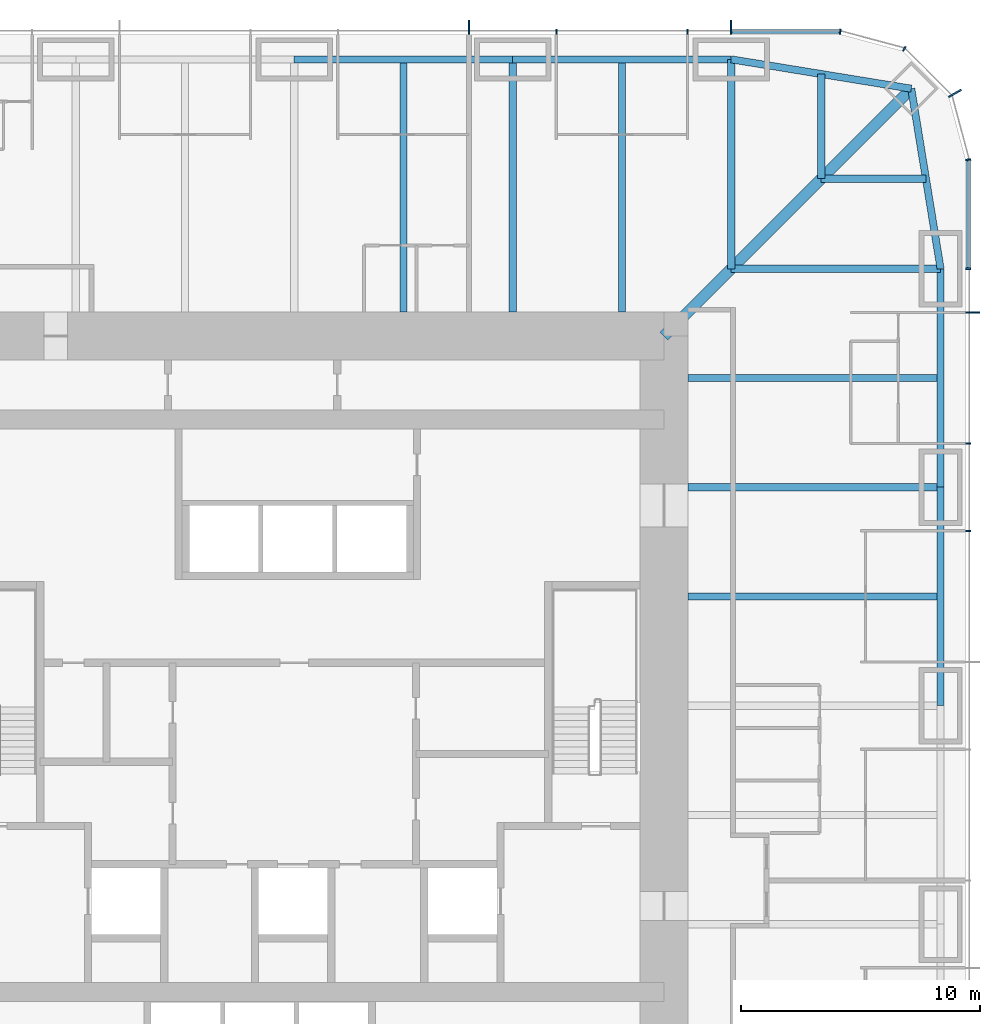
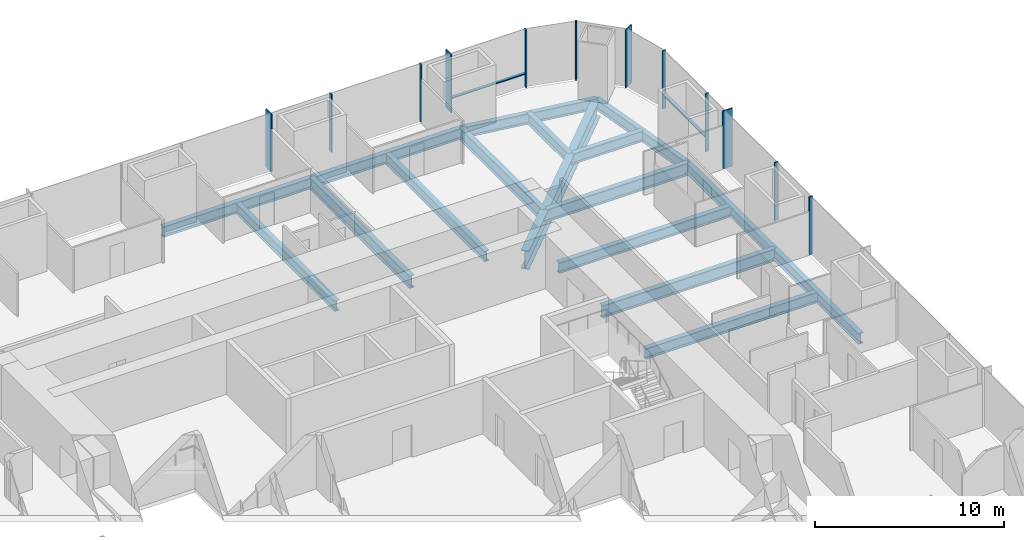
# One storey, part 5 of 12: 17 beams, 14 members, 3 elements without a shape of their own.
"""IFC4 building model written with IfcOpenShell, lengths in metres."""

from ifc_helpers import new_model, si_unit, direction, frame, origin, origin_2d, place, context, subcontext, project, spatial, rectangle, i_section, extrude, material, material_profile, profile_set, type_object, element, aggregate, save


model = new_model("IFC4")

# Units and contexts
model_context = context("Model", 3, precision=1e-05, world=origin(), true_north=direction((0.0, 1.0)))
body_context = subcontext(model_context, "Body", "Model", "MODEL_VIEW")
ifc_project = project(units=[si_unit("LENGTHUNIT", "METRE"), si_unit("AREAUNIT", "SQUARE_METRE"), si_unit("VOLUMEUNIT", "CUBIC_METRE"), si_unit("PLANEANGLEUNIT", "RADIAN"), si_unit("MASSUNIT", "GRAM", prefix="KILO")], contexts=[model_context])

# Site, building, storey
site_placement = place(None, origin())
site = spatial("IfcSite", under=ifc_project, at=site_placement, CompositionType="ELEMENT")
building_placement = place(site_placement, origin())
building = spatial("IfcBuilding", under=site, at=building_placement, Name="Khuree Lantern Residences", CompositionType="ELEMENT")
storey_placement = place(building_placement, frame((0.0, 0.0, 178.5)))
storey = spatial("IfcBuildingStorey", under=building, at=storey_placement, Name="L45", CompositionType="ELEMENT", Elevation=178.5)

# Beams
ifc_material_1 = material(Name="Steel S355", Category="steel")
ifc_material_profile_1 = material_profile(ifc_material_1, i_section(OverallWidth=0.300048828125, OverallDepth=0.68994140625, WebThickness=0.014404296875, FlangeThickness=0.027099609375, FilletRadius=0.027099609375, at=origin_2d()), Name="HE 700 A")
ifc_profile_set_1 = profile_set([ifc_material_profile_1], Name="Steel S355")
beam_type_1 = type_object("IfcBeamType", Name="B-25A SECONDARY BEAM HE 700 A", PredefinedType="BEAM", material=ifc_profile_set_1)
for number, where, z_axis, x_axis, name in (
    (1, (4.580078125, 27.10009765625, -0.594970703125), (0.0, -1.0, 0.0), (1.0, 0.0, 0.0), "Secondary beam N3"),
    (2, (13.739990234375, 27.10009765625, -0.594970703125), (0.0, -1.0, 0.0), (1.0, 0.0, 0.0), "Secondary beam N4"),
):
    element("IfcBeam", number, at=place(storey_placement, frame(where, z_axis=z_axis, x_axis=x_axis)), inside=storey, type_object=beam_type_1, Name=name, PredefinedType="BEAM", context=body_context, shape_type="SweptSolid", body=[
        extrude(i_section(OverallWidth=0.300048828125, OverallDepth=0.68994140625, WebThickness=0.014404296875, FlangeThickness=0.027099609375, FilletRadius=0.027099609375, at=origin_2d()), origin(), (0.0, 0.0, 1.0), 10.60009765625),
    ])
for number, where, z_axis, x_axis, name in (
    (3, (22.094970703125, 26.48486328125, -0.594970703125), (0.0, -1.0, 0.0), (1.0, 0.0, 0.0), "Secondary beam N5"),
    (4, (26.48486328125, 22.094970703125, -0.594970703125), (-1.0, 0.0, 0.0), (0.0, -1.0, 0.0), "Secondary beam E1"),
):
    element("IfcBeam", number, at=place(storey_placement, frame(where, z_axis=z_axis, x_axis=x_axis)), inside=storey, type_object=beam_type_1, Name=name, PredefinedType="BEAM", context=body_context, shape_type="SweptSolid", body=[
        extrude(i_section(OverallWidth=0.300048828125, OverallDepth=0.68994140625, WebThickness=0.014404296875, FlangeThickness=0.027099609375, FilletRadius=0.027099609375, at=origin_2d()), origin(), (0.0, 0.0, 1.0), 4.389892578125),
    ])
for number, where, z_axis, x_axis, name in (
    (5, (27.10009765625, 13.739990234375, -0.594970703125), (-1.0, 0.0, 0.0), (0.0, -1.0, 0.0), "Secondary beam E2"),
    (6, (27.10009765625, 4.580078125, -0.594970703125), (-1.0, 0.0, 0.0), (0.0, -1.0, 0.0), "Secondary beam E3"),
):
    element("IfcBeam", number, at=place(storey_placement, frame(where, z_axis=z_axis, x_axis=x_axis)), inside=storey, type_object=beam_type_1, Name=name, PredefinedType="BEAM", context=body_context, shape_type="SweptSolid", body=[
        extrude(i_section(OverallWidth=0.300048828125, OverallDepth=0.68994140625, WebThickness=0.014404296875, FlangeThickness=0.027099609375, FilletRadius=0.027099609375, at=origin_2d()), origin(), (0.0, 0.0, 1.0), 10.60009765625),
    ])
ifc_material_profile_2 = material_profile(ifc_material_1, i_section(OverallWidth=0.300048828125, OverallDepth=0.68994140625, WebThickness=0.014404296875, FlangeThickness=0.027099609375, FilletRadius=0.027099609375, at=origin_2d()), Name="HE 700 A")
ifc_profile_set_2 = profile_set([ifc_material_profile_2], Name="Steel S355")
beam_type_2 = type_object("IfcBeamType", Name="E-25 SPANDREL BEAM HE 700 A", PredefinedType="SPANDREL", material=ifc_profile_set_2)
beam_1_placement = place(storey_placement, frame((0.0, 27.10009765625, -0.594970703125), z_axis=(1.0, 0.0, 0.0), x_axis=(0.0, 1.0, 0.0)))
element("IfcBeam", 7, at=beam_1_placement, inside=storey, type_object=beam_type_2, Name="Spandrel beam N3", PredefinedType="SPANDREL", context=body_context, shape_type="SweptSolid", body=[
    extrude(i_section(OverallWidth=0.300048828125, OverallDepth=0.68994140625, WebThickness=0.014404296875, FlangeThickness=0.027099609375, FilletRadius=0.027099609375, at=origin_2d()), origin(), (0.0, 0.0, 1.0), 9.159912109375),
])
beam_2_placement = place(storey_placement, frame((9.159912109375, 27.10009765625, -0.594970703125), z_axis=(1.0, 0.0, 0.0), x_axis=(0.0, 1.0, 0.0)))
element("IfcBeam", 8, at=beam_2_placement, inside=storey, type_object=beam_type_2, Name="Spandrel beam N4", PredefinedType="SPANDREL", context=body_context, shape_type="SweptSolid", body=[
    extrude(i_section(OverallWidth=0.300048828125, OverallDepth=0.68994140625, WebThickness=0.014404296875, FlangeThickness=0.027099609375, FilletRadius=0.027099609375, at=origin_2d()), origin(), (0.0, 0.0, 1.0), 9.16015625),
])
for number, where, z_axis, x_axis, name in (
    (9, (18.320068359375, 27.10009765625, -0.594970703125), (0.986982656839, -0.160826723833, 0.0), (0.160826723833, 0.986982656839, 0.0), "Spandrel beam N5"),
    (10, (25.869873046875, 25.869873046875, -0.594970703125), (0.160826723833, -0.986982656839, 0.0), (0.986982656839, 0.160826723833, 0.0), "Spandrel beam E1"),
):
    element("IfcBeam", number, at=place(storey_placement, frame(where, z_axis=z_axis, x_axis=x_axis)), inside=storey, type_object=beam_type_2, Name=name, PredefinedType="SPANDREL", context=body_context, shape_type="SweptSolid", body=[
        extrude(i_section(OverallWidth=0.300048828125, OverallDepth=0.68994140625, WebThickness=0.014404296875, FlangeThickness=0.027099609375, FilletRadius=0.027099609375, at=origin_2d()), origin(), (0.0, 0.0, 1.0), 7.6494140625),
    ])
beam_3_placement = place(storey_placement, frame((27.10009765625, 18.320068359375, -0.594970703125), z_axis=(0.0, -1.0, 0.0), x_axis=(1.0, 0.0, 0.0)))
element("IfcBeam", 11, at=beam_3_placement, inside=storey, type_object=beam_type_2, Name="Spandrel beam E2", PredefinedType="SPANDREL", context=body_context, shape_type="SweptSolid", body=[
    extrude(i_section(OverallWidth=0.300048828125, OverallDepth=0.68994140625, WebThickness=0.014404296875, FlangeThickness=0.027099609375, FilletRadius=0.027099609375, at=origin_2d()), origin(), (0.0, 0.0, 1.0), 9.16015625),
])
beam_4_placement = place(storey_placement, frame((27.10009765625, 9.159912109375, -0.594970703125), z_axis=(0.0, -1.0, 0.0), x_axis=(1.0, 0.0, 0.0)))
element("IfcBeam", 12, at=beam_4_placement, inside=storey, type_object=beam_type_2, Name="Spandrel beam E3", PredefinedType="SPANDREL", context=body_context, shape_type="SweptSolid", body=[
    extrude(i_section(OverallWidth=0.300048828125, OverallDepth=0.68994140625, WebThickness=0.014404296875, FlangeThickness=0.027099609375, FilletRadius=0.027099609375, at=origin_2d()), origin(), (0.0, 0.0, 1.0), 9.159912109375),
])

# Curtain wall, member
ifc_material_2 = material(Name="Bronze anodised aluminium", Category="aluminium")
curtain_wall_type_1 = type_object("IfcCurtainWallType", Name="CW-T1 TOWER FACE CURTAIN WALL", PredefinedType="USERDEFINED", material=ifc_material_2)
curtain_wall_1_placement = place(storey_placement, origin())
curtain_wall_1 = element("IfcCurtainWall", 13, at=curtain_wall_1_placement, inside=storey, type_object=curtain_wall_type_1, Name="L45 EAST FACE CURTAIN WALL", ObjectType="Stick-built curtain wall", PredefinedType="USERDEFINED")
ifc_material_profile_3 = material_profile(ifc_material_2, rectangle(XDim=0.06494140625, YDim=0.60009765625, at=origin_2d()), Name="F1 65X600")
ifc_profile_set_3 = profile_set([ifc_material_profile_3], Name="Bronze anodised aluminium")
member_type_1 = type_object("IfcMemberType", Name="F1 BRONZE FIN MULLION TOWER 65X600", PredefinedType="MULLION", material=ifc_profile_set_3)
member_1_placement = place(storey_placement, frame((28.449951171875, 16.488037109375, 0.0), z_axis=(0.0, 0.0, 1.0), x_axis=(0.0, 1.0, 0.0)))
member_1 = element("IfcMember", 14, at=member_1_placement, type_object=member_type_1, Name="L45 EAST FACE FIN MULLION 13", PredefinedType="MULLION", context=body_context, shape_type="SweptSolid", body=[
    extrude(rectangle(XDim=0.06494140625, YDim=0.60009765625, at=origin_2d()), origin(), (0.0, 0.0, 1.0), 3.75),
])

curtain_wall_type_2 = type_object("IfcCurtainWallType", Name="CW-T2 TOWER CORNER CURTAIN WALL", PredefinedType="USERDEFINED", material=ifc_material_2)
curtain_wall_2_placement = place(storey_placement, origin())
curtain_wall_2 = element("IfcCurtainWall", 15, at=curtain_wall_2_placement, inside=storey, type_object=curtain_wall_type_2, Name="L45 NORTH-EAST CORNER CURTAIN WALL", ObjectType="Faceted corner curtain wall", PredefinedType="USERDEFINED")
member_2_placement = place(storey_placement, frame((27.70654296875, 25.675048828125, 0.0), z_axis=(0.0, 0.0, 1.0), x_axis=(-0.500000026995, 0.866025388199, 0.0)))
member_2 = element("IfcMember", 16, at=member_2_placement, type_object=member_type_1, Name="L45 NORTH-EAST CORNER FIN MULLION 16", PredefinedType="MULLION", context=body_context, shape_type="SweptSolid", body=[
    extrude(rectangle(XDim=0.06494140625, YDim=0.60009765625, at=origin_2d()), origin(), (0.0, 0.0, 1.0), 3.75),
])

# Curtain wall, members
curtain_wall_3_placement = place(storey_placement, origin())
curtain_wall_3 = element("IfcCurtainWall", 17, at=curtain_wall_3_placement, inside=storey, type_object=curtain_wall_type_1, Name="L45 NORTH FACE CURTAIN WALL", ObjectType="Stick-built curtain wall", PredefinedType="USERDEFINED")
member_3_placement = place(storey_placement, frame((18.320068359375, 28.449951171875, 0.0), z_axis=(0.0, 0.0, 1.0), x_axis=(-1.0, 0.0, 0.0)))
member_3 = element("IfcMember", 18, at=member_3_placement, type_object=member_type_1, Name="L45 NORTH FACE FIN MULLION 19", PredefinedType="MULLION", context=body_context, shape_type="SweptSolid", body=[
    extrude(rectangle(XDim=0.06494140625, YDim=0.60009765625, at=origin_2d()), origin(), (0.0, 0.0, 1.0), 3.75),
])
member_4_placement = place(storey_placement, frame((7.327880859375, 28.449951171875, 0.0), z_axis=(0.0, 0.0, 1.0), x_axis=(-1.0, 0.0, 0.0)))
member_4 = element("IfcMember", 19, at=member_4_placement, type_object=member_type_1, Name="L45 NORTH FACE FIN MULLION 22", PredefinedType="MULLION", context=body_context, shape_type="SweptSolid", body=[
    extrude(rectangle(XDim=0.06494140625, YDim=0.60009765625, at=origin_2d()), origin(), (0.0, 0.0, 1.0), 3.75),
])

# Beams
ifc_material_profile_4 = material_profile(ifc_material_1, i_section(OverallWidth=0.300048828125, OverallDepth=0.800048828125, WebThickness=0.017578125, FlangeThickness=0.032958984375, FilletRadius=0.030029296875, at=origin_2d()), Name="HE 800 B")
ifc_profile_set_4 = profile_set([ifc_material_profile_4], Name="Steel S355")
beam_type_3 = type_object("IfcBeamType", Name="G-25A GIRDER HE 800 B", PredefinedType="BEAM", material=ifc_profile_set_4)
beam_5_placement = place(storey_placement, frame((9.159912109375, 27.10009765625, -0.64990234375), z_axis=(0.0, -1.0, 0.0), x_axis=(1.0, 0.0, 0.0)))
element("IfcBeam", 20, at=beam_5_placement, inside=storey, type_object=beam_type_3, Name="Girder N4", PredefinedType="BEAM", context=body_context, shape_type="SweptSolid", body=[
    extrude(i_section(OverallWidth=0.300048828125, OverallDepth=0.800048828125, WebThickness=0.017578125, FlangeThickness=0.032958984375, FilletRadius=0.030029296875, at=origin_2d()), origin(), (0.0, 0.0, 1.0), 10.60009765625),
])
for number, where, z_axis, x_axis, name in (
    (21, (18.320068359375, 27.10009765625, -0.64990234375), (0.0, -1.0, 0.0), (1.0, 0.0, 0.0), "Girder N5"),
    (22, (27.10009765625, 18.320068359375, -0.64990234375), (-1.0, 0.0, 0.0), (0.0, -1.0, 0.0), "Girder E1"),
):
    element("IfcBeam", number, at=place(storey_placement, frame(where, z_axis=z_axis, x_axis=x_axis)), inside=storey, type_object=beam_type_3, Name=name, PredefinedType="BEAM", context=body_context, shape_type="SweptSolid", body=[
        extrude(i_section(OverallWidth=0.300048828125, OverallDepth=0.800048828125, WebThickness=0.017578125, FlangeThickness=0.032958984375, FilletRadius=0.030029296875, at=origin_2d()), origin(), (0.0, 0.0, 1.0), 8.780029296875),
    ])
beam_6_placement = place(storey_placement, frame((27.10009765625, 9.159912109375, -0.64990234375), z_axis=(-1.0, 0.0, 0.0), x_axis=(0.0, -1.0, 0.0)))
element("IfcBeam", 23, at=beam_6_placement, inside=storey, type_object=beam_type_3, Name="Girder E2", PredefinedType="BEAM", context=body_context, shape_type="SweptSolid", body=[
    extrude(i_section(OverallWidth=0.300048828125, OverallDepth=0.800048828125, WebThickness=0.017578125, FlangeThickness=0.032958984375, FilletRadius=0.030029296875, at=origin_2d()), origin(), (0.0, 0.0, 1.0), 10.60009765625),
])
ifc_material_profile_5 = material_profile(ifc_material_1, i_section(OverallWidth=0.449951171875, OverallDepth=1.199951171875, WebThickness=0.02490234375, FlangeThickness=0.044921875, at=origin_2d()), Name="WELDED I 1200X450X25X45")
ifc_profile_set_5 = profile_set([ifc_material_profile_5], Name="Steel S355")
beam_type_4 = type_object("IfcBeamType", Name="GD-25 CORNER GIRDER WELDED I 1200X450X25X45", PredefinedType="BEAM", material=ifc_profile_set_5)
beam_7_placement = place(storey_placement, frame((25.869873046875, 25.869873046875, -0.85009765625), z_axis=(-0.707106781187, -0.707106781187, 0.0), x_axis=(0.707106781187, -0.707106781187, 0.0)))
element("IfcBeam", 24, at=beam_7_placement, inside=storey, type_object=beam_type_4, Name="Corner girder NE", PredefinedType="BEAM", context=body_context, shape_type="SweptSolid", body=[
    extrude(i_section(OverallWidth=0.449951171875, OverallDepth=1.199951171875, WebThickness=0.02490234375, FlangeThickness=0.044921875, at=origin_2d()), origin(), (0.0, 0.0, 1.0), 14.665283203125),
])

# Member
ifc_material_profile_6 = material_profile(ifc_material_2, rectangle(XDim=0.06494140625, YDim=0.219970703125, at=origin_2d()), Name="M1 65X220")
ifc_profile_set_6 = profile_set([ifc_material_profile_6], Name="Bronze anodised aluminium")
member_type_2 = type_object("IfcMemberType", Name="M1 BRONZE MULLION TOWER 65X220", PredefinedType="MULLION", material=ifc_profile_set_6)
member_5_placement = place(storey_placement, frame((28.260009765625, 7.327880859375, 0.0), z_axis=(0.0, 0.0, 1.0), x_axis=(0.0, 1.0, 0.0)))
member_5 = element("IfcMember", 25, at=member_5_placement, type_object=member_type_2, Name="L45 EAST FACE MULLION 11", PredefinedType="MULLION", context=body_context, shape_type="SweptSolid", body=[
    extrude(rectangle(XDim=0.06494140625, YDim=0.219970703125, at=origin_2d()), origin(), (0.0, 0.0, 1.0), 3.75),
])

member_6_placement = place(storey_placement, frame((28.260009765625, 10.991943359375, 0.0), z_axis=(0.0, 0.0, 1.0), x_axis=(0.0, 1.0, 0.0)))
member_6 = element("IfcMember", 26, at=member_6_placement, type_object=member_type_2, Name="L45 EAST FACE MULLION 12", PredefinedType="MULLION", context=body_context, shape_type="SweptSolid", body=[
    extrude(rectangle(XDim=0.06494140625, YDim=0.219970703125, at=origin_2d()), origin(), (0.0, 0.0, 1.0), 3.75),
])

member_7_placement = place(storey_placement, frame((28.260009765625, 18.320068359375, 0.0), z_axis=(0.0, 0.0, 1.0), x_axis=(0.0, 1.0, 0.0)))
member_7 = element("IfcMember", 27, at=member_7_placement, type_object=member_type_2, Name="L45 EAST FACE MULLION 14", PredefinedType="MULLION", context=body_context, shape_type="SweptSolid", body=[
    extrude(rectangle(XDim=0.06494140625, YDim=0.219970703125, at=origin_2d()), origin(), (0.0, 0.0, 1.0), 3.75),
])

member_8_placement = place(storey_placement, frame((28.26171875, 22.89501953125, 0.0), z_axis=(0.0, 0.0, 1.0), x_axis=(-0.130526223125, 0.991444857305, 0.0)))
member_8 = element("IfcMember", 28, at=member_8_placement, type_object=member_type_2, Name="L45 NORTH-EAST CORNER MULLION 15", PredefinedType="MULLION", context=body_context, shape_type="SweptSolid", body=[
    extrude(rectangle(XDim=0.06494140625, YDim=0.219970703125, at=origin_2d()), origin(), (0.0, 0.0, 1.0), 3.75),
])

member_9_placement = place(storey_placement, frame((25.580078125, 27.5419921875, 0.0), z_axis=(0.0, 0.0, 1.0), x_axis=(-0.866025388199, 0.500000026995, 0.0)))
member_9 = element("IfcMember", 29, at=member_9_placement, type_object=member_type_2, Name="L45 NORTH-EAST CORNER MULLION 17", PredefinedType="MULLION", context=body_context, shape_type="SweptSolid", body=[
    extrude(rectangle(XDim=0.06494140625, YDim=0.219970703125, at=origin_2d()), origin(), (0.0, 0.0, 1.0), 3.75),
])

aggregate(curtain_wall_2, [member_8, member_2, member_9])

member_10_placement = place(storey_placement, frame((22.89501953125, 28.26171875, 0.0), z_axis=(0.0, 0.0, 1.0), x_axis=(-0.991444857305, 0.130526223125, 0.0)))
member_10 = element("IfcMember", 30, at=member_10_placement, type_object=member_type_2, Name="L45 NORTH FACE MULLION 18", PredefinedType="MULLION", context=body_context, shape_type="SweptSolid", body=[
    extrude(rectangle(XDim=0.06494140625, YDim=0.219970703125, at=origin_2d()), origin(), (0.0, 0.0, 1.0), 3.75),
])

member_11_placement = place(storey_placement, frame((16.488037109375, 28.260009765625, 0.0), z_axis=(0.0, 0.0, 1.0), x_axis=(-1.0, 0.0, 0.0)))
member_11 = element("IfcMember", 31, at=member_11_placement, type_object=member_type_2, Name="L45 NORTH FACE MULLION 20", PredefinedType="MULLION", context=body_context, shape_type="SweptSolid", body=[
    extrude(rectangle(XDim=0.06494140625, YDim=0.219970703125, at=origin_2d()), origin(), (0.0, 0.0, 1.0), 3.75),
])

member_12_placement = place(storey_placement, frame((10.991943359375, 28.260009765625, 0.0), z_axis=(0.0, 0.0, 1.0), x_axis=(-1.0, 0.0, 0.0)))
member_12 = element("IfcMember", 32, at=member_12_placement, type_object=member_type_2, Name="L45 NORTH FACE MULLION 21", PredefinedType="MULLION", context=body_context, shape_type="SweptSolid", body=[
    extrude(rectangle(XDim=0.06494140625, YDim=0.219970703125, at=origin_2d()), origin(), (0.0, 0.0, 1.0), 3.75),
])

ifc_material_profile_7 = material_profile(ifc_material_2, rectangle(XDim=0.179931640625, YDim=0.06494140625, at=origin_2d()), Name="T1 180X65")
ifc_profile_set_7 = profile_set([ifc_material_profile_7], Name="Bronze anodised aluminium")
member_type_3 = type_object("IfcMemberType", Name="TRANSOM T1 TOWER 180X65", PredefinedType="USERDEFINED", material=ifc_profile_set_7)
member_13_placement = place(storey_placement, frame((28.27001953125, 18.3525390625, 0.89990234375), z_axis=(0.0, 1.0, 0.0), x_axis=(-1.0, 0.0, 0.0)))
member_13 = element("IfcMember", 33, at=member_13_placement, type_object=member_type_3, Name="L45 EAST FACE TRANSOM 14.1", ObjectType="Transom", PredefinedType="USERDEFINED", context=body_context, shape_type="SweptSolid", body=[
    extrude(rectangle(XDim=0.179931640625, YDim=0.06494140625, at=origin_2d()), origin(), (0.0, 0.0, 1.0), 4.498779296875),
])

aggregate(curtain_wall_1, [member_5, member_6, member_1, member_7, member_13])

member_14_placement = place(storey_placement, frame((22.851318359375, 28.27001953125, 0.89990234375), z_axis=(-1.0, 0.0, 0.0), x_axis=(0.0, -1.0, 0.0)))
member_14 = element("IfcMember", 34, at=member_14_placement, type_object=member_type_3, Name="L45 NORTH FACE TRANSOM 18.1", ObjectType="Transom", PredefinedType="USERDEFINED", context=body_context, shape_type="SweptSolid", body=[
    extrude(rectangle(XDim=0.179931640625, YDim=0.06494140625, at=origin_2d()), origin(), (0.0, 0.0, 1.0), 4.498779296875),
])

aggregate(curtain_wall_3, [member_10, member_3, member_11, member_12, member_4, member_14])

save(model, "model.ifc")
